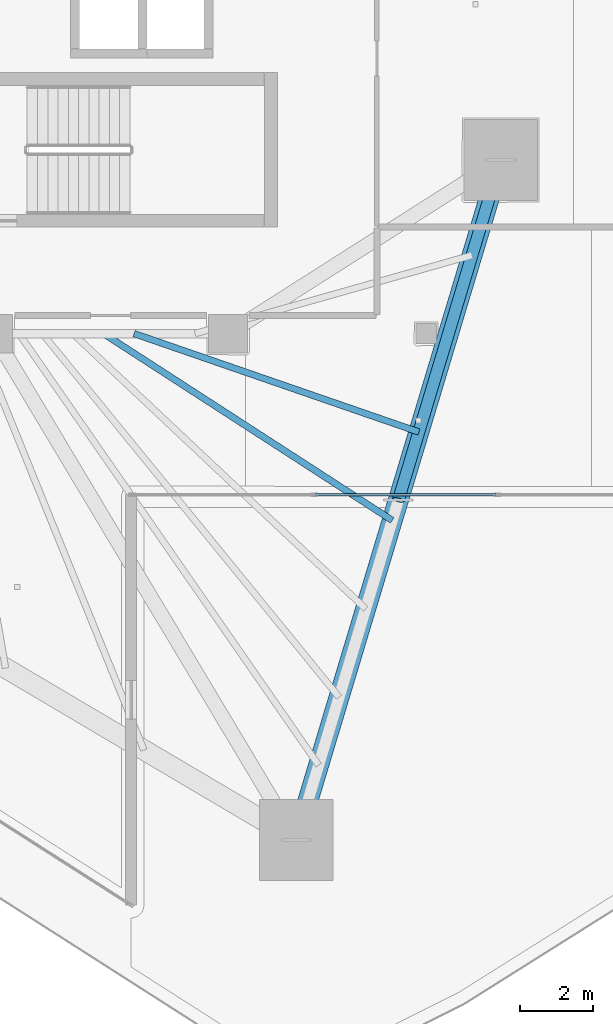
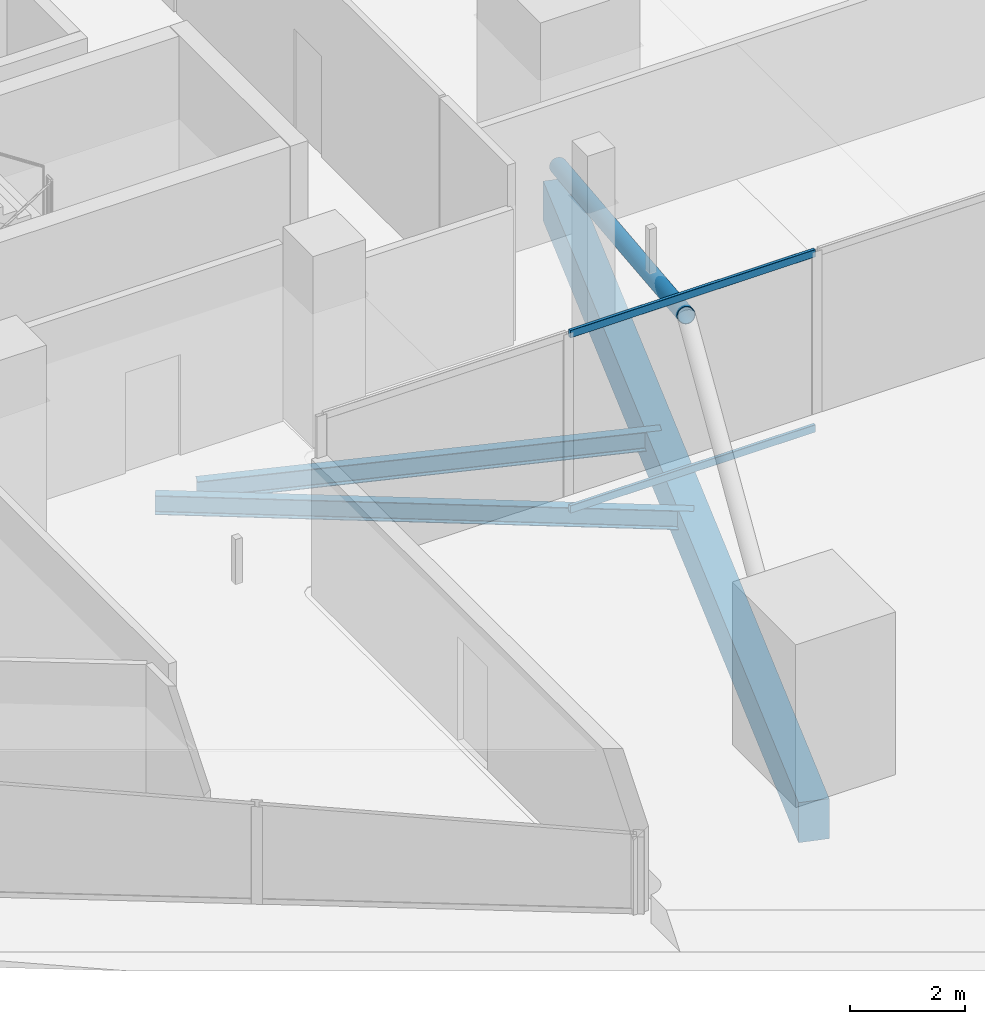
# One storey, part 10 of 38: 3 beams, 3 members, 1 element without a shape of its own.
"""IFC4 building model written with IfcOpenShell, lengths in metres."""

from ifc_helpers import new_model, si_unit, direction, frame, origin, origin_2d, place, context, subcontext, project, spatial, rectangle, hollow_rectangle, hollow_circle, i_section, extrude, material, layer, layer_set, material_profile, profile_set, type_object, element, aggregate, save


model = new_model("IFC4")

# Units and contexts
model_context = context("Model", 3, precision=1e-05, world=origin(), true_north=direction((0.0, 1.0)))
body_context = subcontext(model_context, "Body", "Model", "MODEL_VIEW")
ifc_project = project(units=[si_unit("LENGTHUNIT", "METRE"), si_unit("AREAUNIT", "SQUARE_METRE"), si_unit("VOLUMEUNIT", "CUBIC_METRE"), si_unit("PLANEANGLEUNIT", "RADIAN"), si_unit("MASSUNIT", "GRAM", prefix="KILO")], contexts=[model_context])

# Site, building, storey
site_placement = place(None, origin())
site = spatial("IfcSite", under=ifc_project, at=site_placement, CompositionType="ELEMENT")
building_placement = place(site_placement, origin())
building = spatial("IfcBuilding", under=site, at=building_placement, Name="Qorvath Tower", CompositionType="ELEMENT")
storey_placement = place(building_placement, frame((0.0, 0.0, 158.39990234375)))
storey = spatial("IfcBuildingStorey", under=building, at=storey_placement, Name="L36", CompositionType="ELEMENT", Elevation=158.39990234375)

# Beams
ifc_material_1 = material(Name="Steel ASTM A992 Grade 50", Category="steel")
ifc_material_profile_1 = material_profile(ifc_material_1, i_section(OverallWidth=0.177978515625, OverallDepth=0.406005859375, WebThickness=0.0078125, FlangeThickness=0.0126953125, FilletRadius=0.010986328125, at=origin_2d()), Name="W16x40")
ifc_profile_set_1 = profile_set([ifc_material_profile_1], Name="Steel ASTM A992 Grade 50")
beam_type_1 = type_object("IfcBeamType", Name="BM-FJ3", PredefinedType="JOIST", material=ifc_profile_set_1)
beam_1_placement = place(storey_placement, frame((-19.760009765625, -11.449951171875, -0.472900390625), z_axis=(0.945168345309, -0.326583525342, 0.0), x_axis=(0.326583525342, 0.945168345309, 0.0)))
element("IfcBeam", 1, at=beam_1_placement, inside=storey, type_object=beam_type_1, Name="Composite Floor Joist SE3 L36", PredefinedType="JOIST", context=body_context, shape_type="SweptSolid", body=[
    extrude(i_section(OverallWidth=0.177978515625, OverallDepth=0.406005859375, WebThickness=0.0078125, FlangeThickness=0.0126953125, FilletRadius=0.010986328125, at=origin_2d()), origin(), (0.0, 0.0, 1.0), 8.21044921875),
])
beam_2_placement = place(storey_placement, frame((-20.592041015625, -11.449951171875, -0.472900390625), z_axis=(0.839630966809, -0.543157288062, 0.0), x_axis=(0.543157288062, 0.839630966809, 0.0)))
element("IfcBeam", 2, at=beam_2_placement, inside=storey, type_object=beam_type_1, Name="Composite Floor Joist SE4 L36", PredefinedType="JOIST", context=body_context, shape_type="SweptSolid", body=[
    extrude(i_section(OverallWidth=0.177978515625, OverallDepth=0.406005859375, WebThickness=0.0078125, FlangeThickness=0.0126953125, FilletRadius=0.010986328125, at=origin_2d()), origin(), (0.0, 0.0, 1.0), 9.370361328125),
])
ifc_material_2 = material(Name="Concrete C50/60", Category="concrete")
ifc_material_profile_2 = material_profile(ifc_material_2, rectangle(XDim=0.550048828125, YDim=0.85009765625, at=origin_2d()), Name="RCB 850x550")
ifc_profile_set_2 = profile_set([ifc_material_profile_2], Name="Concrete C50/60")
beam_type_2 = type_object("IfcBeamType", Name="BM-RCB2", PredefinedType="SPANDREL", material=ifc_profile_set_2)
beam_3_placement = place(storey_placement, frame((-15.34423828125, -25.24609375, -0.695068359375), z_axis=(0.288133952099, 0.957590113591, 0.0), x_axis=(-0.957590113591, 0.288133952099, 0.0)))
element("IfcBeam", 3, at=beam_3_placement, inside=storey, type_object=beam_type_2, Name="Perimeter Loggia Frame Beam MC3-MC4 L36", PredefinedType="SPANDREL", context=body_context, shape_type="SweptSolid", body=[
    extrude(rectangle(XDim=0.550048828125, YDim=0.85009765625, at=origin_2d()), origin(), (0.0, 0.0, 1.0), 19.344970703125),
])

# Curtain wall, members
ifc_material_3 = material(Name="Anodised aluminium and triple low-E glass", Category="aluminium")
ifc_layer = layer(ifc_material_3, 0.179931640625)
ifc_layer_set = layer_set([ifc_layer], Name="CW-SYS-5")
curtain_wall_type = type_object("IfcCurtainWallType", Name="CW-SYS-5", PredefinedType="NOTDEFINED", material=ifc_layer_set)
curtain_wall_placement = place(storey_placement, origin())
curtain_wall = element("IfcCurtainWall", 4, at=curtain_wall_placement, inside=storey, type_object=curtain_wall_type, Name="Curtain Wall CW-5 CW-T-L36-2.1", PredefinedType="NOTDEFINED")
ifc_material_4 = material(Name="Anodised aluminium 6063-T6", Category="aluminium")
ifc_material_profile_3 = material_profile(ifc_material_4, hollow_rectangle(XDim=0.06494140625, YDim=0.159912109375, WallThickness=0.00341796875, InnerFilletRadius=0.00341796875, OuterFilletRadius=0.007080078125, at=origin_2d()), Name="CWT 160x65")
ifc_profile_set_3 = profile_set([ifc_material_profile_3], Name="Anodised aluminium 6063-T6")
member_type_1 = type_object("IfcMemberType", Name="CWT-160", PredefinedType="USERDEFINED", material=ifc_profile_set_3)
member_1_placement = place(storey_placement, frame((-14.81591796875, -15.840087890625, 0.032470703125), z_axis=(1.0, 0.0, 0.0), x_axis=(0.0, 1.0, 0.0)))
member_1 = element("IfcMember", 5, at=member_1_placement, type_object=member_type_1, Name="CW-5 transom 2.1", ObjectType="TRANSOM", PredefinedType="USERDEFINED", context=body_context, shape_type="SweptSolid", body=[
    extrude(hollow_rectangle(XDim=0.06494140625, YDim=0.159912109375, WallThickness=0.00341796875, InnerFilletRadius=0.00341796875, OuterFilletRadius=0.007080078125, at=origin_2d()), origin(), (0.0, 0.0, 1.0), 4.911865234375),
])
member_2_placement = place(storey_placement, frame((-14.81591796875, -15.840087890625, 3.74755859375), z_axis=(1.0, 0.0, 0.0), x_axis=(0.0, 1.0, 0.0)))
member_2 = element("IfcMember", 6, at=member_2_placement, type_object=member_type_1, Name="CW-5 transom 2.2", ObjectType="TRANSOM", PredefinedType="USERDEFINED", context=body_context, shape_type="SweptSolid", body=[
    extrude(hollow_rectangle(XDim=0.06494140625, YDim=0.159912109375, WallThickness=0.00341796875, InnerFilletRadius=0.00341796875, OuterFilletRadius=0.007080078125, at=origin_2d()), origin(), (0.0, 0.0, 1.0), 4.911865234375),
])
aggregate(curtain_wall, [member_1, member_2])

# Member
ifc_material_5 = material(Name="Steel ASTM A500 Grade C", Category="steel")
ifc_material_profile_4 = material_profile(ifc_material_5, hollow_circle(Radius=0.161865234375, WallThickness=0.0126953125, at=origin_2d()), Name="CHS 324x12.7")
ifc_profile_set_4 = profile_set([ifc_material_profile_4], Name="Steel ASTM A500 Grade C")
member_type_2 = type_object("IfcMemberType", Name="MEM-ST1", PredefinedType="STRUT", material=ifc_profile_set_4)
member_3_placement = place(storey_placement, frame((-9.770263671875, -6.721435546875, 0.0), z_axis=(-0.271557321169, -0.902526644811, 0.334218905397), x_axis=(0.957592547963, -0.288125861537, 0.0)))
element("IfcMember", 7, at=member_3_placement, inside=storey, type_object=member_type_2, Name="Sky Garden Corner Strut L36-B", PredefinedType="STRUT", context=body_context, shape_type="SweptSolid", body=[
    extrude(hollow_circle(Radius=0.161865234375, WallThickness=0.0126953125, at=origin_2d()), origin(), (0.0, 0.0, 1.0), 10.262451171875),
])

save(model, "model.ifc")
